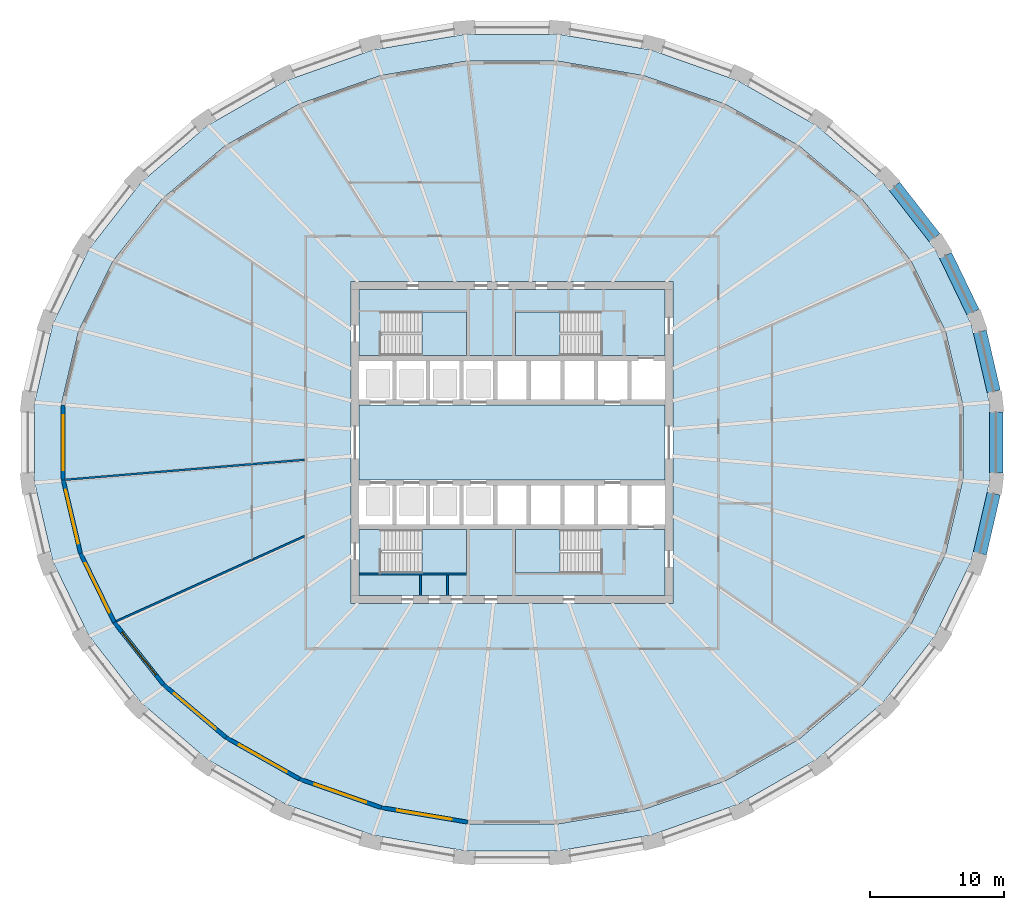
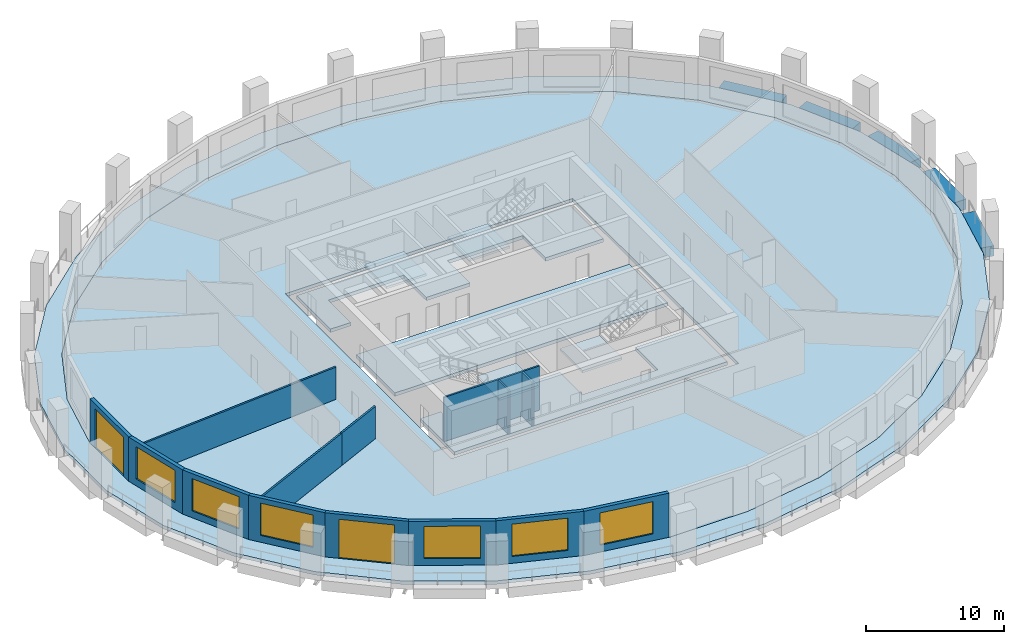
# One storey, part 2 of 10: 14 walls, 9 slabs, 6 windows, 5 beams, 2 doors, 8 openings, 4 elements without a shape of their own.
"""IFC4 building model written with IfcOpenShell, lengths in metres."""

from ifc_helpers import new_model, si_unit, direction, frame, frame_2d, origin, origin_2d, place, context, subcontext, project, spatial, polyline, rectangle, outline, extrude, material, layer, layer_set, material_profile, profile_set, type_object, element, fill, aggregate, save


model = new_model("IFC4")

# Units and contexts
model_context = context("Model", 3, precision=1e-05, world=origin(), true_north=direction((0.0, 1.0)))
body_context = subcontext(model_context, "Body", "Model", "MODEL_VIEW")
ifc_project = project(units=[si_unit("LENGTHUNIT", "METRE"), si_unit("AREAUNIT", "SQUARE_METRE"), si_unit("VOLUMEUNIT", "CUBIC_METRE"), si_unit("PLANEANGLEUNIT", "RADIAN"), si_unit("MASSUNIT", "GRAM", prefix="KILO")], contexts=[model_context])

# Site, building, storey
site_placement = place(None, origin())
site = spatial("IfcSite", under=ifc_project, at=site_placement, CompositionType="ELEMENT")
building_placement = place(site_placement, origin())
building = spatial("IfcBuilding", under=site, at=building_placement, Name="Halqa Exchange Tower", CompositionType="ELEMENT")
storey_placement = place(building_placement, frame((0.0, 0.0, 90.699951171875)))
storey = spatial("IfcBuildingStorey", under=building, at=storey_placement, Name="L20", CompositionType="ELEMENT", Elevation=90.699951171875)

# Beams
ifc_material_1 = material(Name="Concrete C60/75", Category="concrete")
ifc_material_profile = material_profile(ifc_material_1, rectangle(XDim=1.0, YDim=0.89990234375, at=origin_2d()), Name="1000 x 900")
ifc_profile_set = profile_set([ifc_material_profile], Name="Concrete C60/75")
beam_type = type_object("IfcBeamType", Name="RC spandrel beam 1000 x 900 C60/75", PredefinedType="SPANDREL", material=ifc_profile_set)
beam_1_placement = place(storey_placement, frame((35.939208984375, 3.805908203125, -0.449951171875), z_axis=(-0.226091821928, 0.974105994262, 0.0), x_axis=(-0.974105994262, -0.226091821928, 0.0)))
element("IfcBeam", 1, at=beam_1_placement, inside=storey, type_object=beam_type, Name="Spandrel 1", PredefinedType="SPANDREL", context=body_context, shape_type="SweptSolid", body=[
    extrude(rectangle(XDim=1.0, YDim=0.89990234375, at=origin_2d()), origin(), (0.0, 0.0, 1.0), 4.5859375),
])
beam_2_placement = place(storey_placement, frame((34.388671875, 9.7294921875, -0.449951171875), z_axis=(-0.435149722828, 0.900358105824, 0.0), x_axis=(-0.900358105824, -0.435149722828, 0.0)))
element("IfcBeam", 2, at=beam_2_placement, inside=storey, type_object=beam_type, Name="Spandrel 2", PredefinedType="SPANDREL", context=body_context, shape_type="SweptSolid", body=[
    extrude(rectangle(XDim=1.0, YDim=0.89990234375, at=origin_2d()), origin(), (0.0, 0.0, 1.0), 4.70263671875),
])
beam_3_placement = place(storey_placement, frame((31.52783203125, 15.2744140625, -0.449951171875), z_axis=(-0.614817026553, 0.788669781252, 0.0), x_axis=(-0.788669781252, -0.614817026553, 0.0)))
element("IfcBeam", 3, at=beam_3_placement, inside=storey, type_object=beam_type, Name="Spandrel 3", PredefinedType="SPANDREL", context=body_context, shape_type="SweptSolid", body=[
    extrude(rectangle(XDim=1.0, YDim=0.89990234375, at=origin_2d()), origin(), (0.0, 0.0, 1.0), 4.877197265625),
])
beam_4_placement = place(storey_placement, frame((34.90234375, -8.273193359375, -0.449951171875), z_axis=(0.226091821928, 0.974105994262, 0.0), x_axis=(-0.974105994262, 0.226091821928, 0.0)))
element("IfcBeam", 4, at=beam_4_placement, inside=storey, type_object=beam_type, Name="Spandrel 31", PredefinedType="SPANDREL", context=body_context, shape_type="SweptSolid", body=[
    extrude(rectangle(XDim=1.0, YDim=0.89990234375, at=origin_2d()), origin(), (0.0, 0.0, 1.0), 4.5859375),
])
beam_5_placement = place(storey_placement, frame((36.11474609375, -2.271484375, -0.449951171875), z_axis=(0.0, 1.0, 0.0), x_axis=(-1.0, 0.0, 0.0)))
element("IfcBeam", 5, at=beam_5_placement, inside=storey, type_object=beam_type, Name="Spandrel 32", PredefinedType="SPANDREL", context=body_context, shape_type="SweptSolid", body=[
    extrude(rectangle(XDim=1.0, YDim=0.89990234375, at=origin_2d()), origin(), (0.0, 0.0, 1.0), 4.54296875),
])

# Slabs
ifc_layer_1 = layer(ifc_material_1, 0.300048828125)
ifc_layer_set_1 = layer_set([ifc_layer_1], Name="Concrete C60/75")
slab_type_1 = type_object("IfcSlabType", Name="Core floor slab 300", PredefinedType="FLOOR", material=ifc_layer_set_1)
slab_1_placement = place(storey_placement, frame((0.0, 0.0, -0.300048828125)))
element("IfcSlab", 6, at=slab_1_placement, inside=storey, type_object=slab_type_1, Name="Core floor slab", PredefinedType="FLOOR", context=body_context, shape_type="SweptSolid", body=[
    extrude(outline(polyline([(-11.39990234375, 2.800048828125), (11.39990234375, 2.800048828125), (11.39990234375, -2.800048828125), (-11.39990234375, -2.800048828125), (-11.39990234375, 2.800048828125)])), origin(), (0.0, 0.0, 1.0), 0.300048828125),
])
slab_2_placement = place(storey_placement, frame((0.0, 0.0, -0.300048828125)))
element("IfcSlab", 7, at=slab_2_placement, inside=storey, type_object=slab_type_1, Name="Core floor slab", PredefinedType="FLOOR", context=body_context, shape_type="SweptSolid", body=[
    extrude(outline(polyline([(-11.39990234375, 11.39990234375), (11.39990234375, 11.39990234375), (11.39990234375, 6.5), (6.550048828125, 6.5), (6.550048828125, 9.75), (0.25, 9.75), (0.25, 6.5), (-3.39990234375, 6.5), (-3.39990234375, 9.75), (-9.699951171875, 9.75), (-9.699951171875, 6.5), (-11.39990234375, 6.5), (-11.39990234375, 11.39990234375)])), origin(), (0.0, 0.0, 1.0), 0.300048828125),
])
slab_3_placement = place(storey_placement, frame((0.0, 0.0, -0.300048828125)))
element("IfcSlab", 8, at=slab_3_placement, inside=storey, type_object=slab_type_1, Name="Core floor slab", PredefinedType="FLOOR", context=body_context, shape_type="SweptSolid", body=[
    extrude(outline(polyline([(-9.699951171875, -9.75), (-3.39990234375, -9.75), (-3.39990234375, -6.5), (0.25, -6.5), (0.25, -9.75), (6.550048828125, -9.75), (6.550048828125, -6.5), (11.39990234375, -6.5), (11.39990234375, -11.39990234375), (-11.39990234375, -11.39990234375), (-11.39990234375, -6.5), (-9.699951171875, -6.5), (-9.699951171875, -9.75)])), origin(), (0.0, 0.0, 1.0), 0.300048828125),
])
ifc_material_2 = material(Name="Concrete C40/50", Category="concrete")
ifc_layer_2 = layer(ifc_material_2, 0.300048828125)
ifc_layer_set_2 = layer_set([ifc_layer_2], Name="Concrete C40/50")
slab_type_2 = type_object("IfcSlabType", Name="RC floor slab 300", PredefinedType="FLOOR", material=ifc_layer_set_2)
slab_4_placement = place(storey_placement, frame((0.0, 0.0, -0.300048828125)))
element("IfcSlab", 9, at=slab_4_placement, inside=storey, type_object=slab_type_2, Name="Floor slab", PredefinedType="FLOOR", context=body_context, shape_type="SweptSolid", body=[
    extrude(outline(polyline([(33.628173828125, 2.80908203125), (32.331787109375, 8.318115234375), (29.790283203125, 13.50390625), (26.1044921875, 18.16650390625), (21.41748046875, 22.127685546875), (15.9111328125, 25.2373046875), (9.79638671875, 27.378173828125), (3.3076171875, 28.468994140625), (-3.3076171875, 28.468994140625), (-9.79638671875, 27.378173828125), (-15.9111328125, 25.2373046875), (-21.41748046875, 22.127685546875), (-26.1044921875, 18.16650390625), (-29.790283203125, 13.50390625), (-32.331787109375, 8.318115234375), (-33.628173828125, 2.80908203125), (-33.628173828125, -2.80908203125), (-32.331787109375, -8.318115234375), (-29.790283203125, -13.50390625), (-26.1044921875, -18.16650390625), (-21.41748046875, -22.127685546875), (-15.9111328125, -25.2373046875), (-9.79638671875, -27.378173828125), (-3.3076171875, -28.468994140625), (3.3076171875, -28.468994140625), (9.79638671875, -27.378173828125), (15.9111328125, -25.2373046875), (21.41748046875, -22.127685546875), (26.1044921875, -18.16650390625), (29.790283203125, -13.50390625), (32.331787109375, -8.318115234375), (33.628173828125, -2.80908203125), (33.628173828125, 2.80908203125)]), holes=[polyline([(-12.0, -12.0), (12.0, -12.0), (12.0, 12.0), (-12.0, 12.0), (-12.0, -12.0)])]), origin(), (0.0, 0.0, 1.0), 0.300048828125),
])
ifc_layer_3 = layer(ifc_material_2, 0.300048828125)
ifc_layer_set_3 = layer_set([ifc_layer_3], Name="Concrete C40/50")
slab_type_3 = type_object("IfcSlabType", Name="RC loggia slab 300", PredefinedType="FLOOR", material=ifc_layer_set_3)
slab_5_placement = place(storey_placement, frame((0.0, 0.0, -0.300048828125)))
element("IfcSlab", 10, at=slab_5_placement, inside=storey, type_object=slab_type_3, Name="Loggia slab", PredefinedType="FLOOR", context=body_context, shape_type="SweptSolid", body=[
    extrude(outline(polyline([(35.61474609375, 2.99169921875), (35.61474609375, -2.99169921875), (34.25244140625, -8.862060546875), (31.577392578125, -14.3974609375), (27.688720703125, -19.385986328125), (22.732421875, -23.63427734375), (16.897216796875, -26.976318359375), (10.40771484375, -29.2802734375), (3.5146484375, -30.45556640625), (-3.5146484375, -30.45556640625), (-10.40771484375, -29.2802734375), (-16.897216796875, -26.976318359375), (-22.732421875, -23.63427734375), (-27.688720703125, -19.385986328125), (-31.577392578125, -14.3974609375), (-34.25244140625, -8.862060546875), (-35.61474609375, -2.99169921875), (-35.61474609375, 2.99169921875), (-34.25244140625, 8.862060546875), (-31.577392578125, 14.3974609375), (-27.688720703125, 19.385986328125), (-22.732421875, 23.63427734375), (-16.897216796875, 26.976318359375), (-10.40771484375, 29.2802734375), (-3.5146484375, 30.45556640625), (3.5146484375, 30.45556640625), (10.40771484375, 29.2802734375), (16.897216796875, 26.976318359375), (22.732421875, 23.63427734375), (27.688720703125, 19.385986328125), (31.577392578125, 14.3974609375), (34.25244140625, 8.862060546875), (35.61474609375, 2.99169921875)]), holes=[polyline([(33.628173828125, 2.80908203125), (32.331787109375, 8.318115234375), (29.790283203125, 13.50390625), (26.1044921875, 18.16650390625), (21.41748046875, 22.127685546875), (15.9111328125, 25.2373046875), (9.79638671875, 27.378173828125), (3.3076171875, 28.468994140625), (-3.3076171875, 28.468994140625), (-9.79638671875, 27.378173828125), (-15.9111328125, 25.2373046875), (-21.41748046875, 22.127685546875), (-26.1044921875, 18.16650390625), (-29.790283203125, 13.50390625), (-32.331787109375, 8.318115234375), (-33.628173828125, 2.80908203125), (-33.628173828125, -2.80908203125), (-32.331787109375, -8.318115234375), (-29.790283203125, -13.50390625), (-26.1044921875, -18.16650390625), (-21.41748046875, -22.127685546875), (-15.9111328125, -25.2373046875), (-9.79638671875, -27.378173828125), (-3.3076171875, -28.468994140625), (3.3076171875, -28.468994140625), (9.79638671875, -27.378173828125), (15.9111328125, -25.2373046875), (21.41748046875, -22.127685546875), (26.1044921875, -18.16650390625), (29.790283203125, -13.50390625), (32.331787109375, -8.318115234375), (33.628173828125, -2.80908203125), (33.628173828125, 2.80908203125)])]), origin(), (0.0, 0.0, 1.0), 0.300048828125),
])

# Stair, slab
ifc_material_3 = material(Name="Concrete C30/37", Category="concrete")
stair_type = type_object("IfcStairType", Name="Exit stair 1500 wide", PredefinedType="HALF_TURN_STAIR", material=ifc_material_3)
stair_1_placement = place(storey_placement, origin())
stair_1 = element("IfcStair", 11, at=stair_1_placement, inside=storey, type_object=stair_type, Name="Exit stair ST1", PredefinedType="HALF_TURN_STAIR")
ifc_layer_4 = layer(ifc_material_3, 0.199951171875)
ifc_layer_set_4 = layer_set([ifc_layer_4], Name="Concrete C30/37")
slab_type_4 = type_object("IfcSlabType", Name="Stair landing 200 slab", PredefinedType="LANDING", material=ifc_layer_set_4)
slab_6_placement = place(storey_placement, frame((0.0, 0.0, 1.900146484375)))
slab_6 = element("IfcSlab", 12, at=slab_6_placement, type_object=slab_type_4, Name="ST1 landing 1", PredefinedType="LANDING", context=body_context, shape_type="SweptSolid", body=[
    extrude(outline(polyline([(-6.719970703125, 6.5), (-3.39990234375, 6.5), (-3.39990234375, 9.75), (-6.719970703125, 9.75), (-6.719970703125, 6.5)])), origin(), (0.0, 0.0, 1.0), 0.199951171875),
])
aggregate(stair_1, [slab_6])

stair_2_placement = place(storey_placement, origin())
stair_2 = element("IfcStair", 13, at=stair_2_placement, inside=storey, type_object=stair_type, Name="Exit stair ST2", PredefinedType="HALF_TURN_STAIR")
slab_7_placement = place(storey_placement, frame((0.0, 0.0, 1.900146484375)))
slab_7 = element("IfcSlab", 14, at=slab_7_placement, type_object=slab_type_4, Name="ST2 landing 1", PredefinedType="LANDING", context=body_context, shape_type="SweptSolid", body=[
    extrude(outline(polyline([(0.25, 6.5), (3.570068359375, 6.5), (3.570068359375, 9.75), (0.25, 9.75), (0.25, 6.5)])), origin(), (0.0, 0.0, 1.0), 0.199951171875),
])
aggregate(stair_2, [slab_7])

stair_3_placement = place(storey_placement, origin())
stair_3 = element("IfcStair", 15, at=stair_3_placement, inside=storey, type_object=stair_type, Name="Exit stair ST3", PredefinedType="HALF_TURN_STAIR")
slab_8_placement = place(storey_placement, frame((0.0, 0.0, 1.900146484375)))
slab_8 = element("IfcSlab", 16, at=slab_8_placement, type_object=slab_type_4, Name="ST3 landing 1", PredefinedType="LANDING", context=body_context, shape_type="SweptSolid", body=[
    extrude(outline(polyline([(-6.719970703125, -9.75), (-3.39990234375, -9.75), (-3.39990234375, -6.5), (-6.719970703125, -6.5), (-6.719970703125, -9.75)])), origin(), (0.0, 0.0, 1.0), 0.199951171875),
])
aggregate(stair_3, [slab_8])

stair_4_placement = place(storey_placement, origin())
stair_4 = element("IfcStair", 17, at=stair_4_placement, inside=storey, type_object=stair_type, Name="Exit stair ST4", PredefinedType="HALF_TURN_STAIR")
slab_9_placement = place(storey_placement, frame((0.0, 0.0, 1.900146484375)))
slab_9 = element("IfcSlab", 18, at=slab_9_placement, type_object=slab_type_4, Name="ST4 landing 1", PredefinedType="LANDING", context=body_context, shape_type="SweptSolid", body=[
    extrude(outline(polyline([(0.25, -9.75), (3.570068359375, -9.75), (3.570068359375, -6.5), (0.25, -6.5), (0.25, -9.75)])), origin(), (0.0, 0.0, 1.0), 0.199951171875),
])
aggregate(stair_4, [slab_9])

# Walls
ifc_material_4 = material(Name="Fire-rated gypsum board")
ifc_layer_5 = layer(ifc_material_4, 0.14990234375)
ifc_layer_set_5 = layer_set([ifc_layer_5], Name="Fire-rated gypsum board")
wall_type_1 = type_object("IfcWallType", Name="Fire partition EI 60 150", PredefinedType="PARTITIONING", material=ifc_layer_set_5)
wall_1_placement = place(storey_placement, frame((-33.321533203125, -2.774169921875, 0.0), z_axis=(0.0, 0.0, 1.0), x_axis=(0.996543032046, 0.083078187757, 0.0)))
element("IfcWall", 19, at=wall_1_placement, inside=storey, type_object=wall_type_1, Name="L20-PWL-001", PredefinedType="PARTITIONING", context=body_context, shape_type="SweptSolid", body=[
    extrude(outline(polyline([(0.004638671875, -0.074951171875), (1.991455078125, -0.074951171875), (3.978515625, -0.074951171875), (5.965576171875, -0.074951171875), (7.952392578125, -0.074951171875), (9.939453125, -0.074951171875), (11.926513671875, -0.074951171875), (13.913330078125, -0.074951171875), (13.913330078125, -0.074462890625), (13.9189453125, -0.074951171875), (15.91064453125, -0.074951171875), (17.902099609375, -0.074951171875), (17.914306640625, 0.0703125), (17.914306640625, 0.074951171875), (15.97021484375, 0.074951171875), (14.0263671875, 0.074951171875), (14.026123046875, 0.07421875), (14.0166015625, 0.074951171875), (12.2646484375, 0.074951171875), (10.512451171875, 0.074951171875), (8.760498046875, 0.074951171875), (7.00830078125, 0.074951171875), (5.25634765625, 0.074951171875), (3.504150390625, 0.074951171875), (1.752197265625, 0.074951171875), (0.0, 0.074951171875), (0.0, -0.04443359375), (0.004638671875, -0.074951171875)])), origin(), (0.0, 0.0, 1.0), 2.85009765625),
])
wall_2_placement = place(storey_placement, frame((-29.535888671875, -13.34619140625, 0.0), z_axis=(0.0, 0.0, 1.0), x_axis=(0.911414610865, 0.411489255147, 0.0)))
element("IfcWall", 20, at=wall_2_placement, inside=storey, type_object=wall_type_1, Name="L20-PWL-002", PredefinedType="PARTITIONING", context=body_context, shape_type="SweptSolid", body=[
    extrude(outline(polyline([(11.208251953125, -0.074951171875), (11.208251953125, 0.071533203125), (11.1943359375, 0.041015625), (11.175048828125, 0.049560546875), (11.175048828125, 0.049560546875), (11.119140625, 0.074951171875), (9.265869140625, 0.074951171875), (7.41259765625, 0.074951171875), (5.5595703125, 0.074951171875), (3.706298828125, 0.074951171875), (1.853271484375, 0.074951171875), (0.0, 0.074951171875), (0.0, 0.06787109375), (0.001953125, 0.002685546875), (0.021484375, -0.074951171875), (1.885986328125, -0.074951171875), (3.750244140625, -0.074951171875), (5.61474609375, -0.074951171875), (7.479248046875, -0.074951171875), (9.34375, -0.074951171875), (11.208251953125, -0.074951171875)])), origin(), (0.0, 0.0, 1.0), 2.85009765625),
])
wall_3_placement = place(storey_placement, frame((-19.3203125, -8.73388671875, 0.0), z_axis=(0.0, 0.0, 1.0), x_axis=(0.911074570035, 0.412241589162, 0.0)))
element("IfcWall", 21, at=wall_3_placement, inside=storey, type_object=wall_type_1, Name="L20-PWL-004", PredefinedType="PARTITIONING", context=body_context, shape_type="SweptSolid", body=[
    extrude(outline(polyline([(0.0, -0.074951171875), (1.3955078125, -0.074951171875), (2.791259765625, -0.074951171875), (4.186767578125, -0.074951171875), (4.254638671875, 0.074951171875), (2.8369140625, 0.074951171875), (1.419189453125, 0.074951171875), (0.001220703125, 0.074951171875), (0.0, 0.072021484375), (0.0, -0.074951171875)])), origin(), (0.0, 0.0, 1.0), 2.85009765625),
])
ifc_material_5 = material(Name="Gypsum board")
ifc_layer_6 = layer(ifc_material_5, 0.14990234375)
ifc_layer_set_6 = layer_set([ifc_layer_6], Name="Gypsum board")
wall_type_2 = type_object("IfcWallType", Name="Penthouse riser wall 150 gypsum", PredefinedType="PARTITIONING", material=ifc_layer_set_6)
for number, where, z_axis, x_axis, name in (
    (22, (-6.824951171875, -11.39990234375, 0.0), (0.0, 0.0, 1.0), (0.0, 1.0, 0.0), "Partition W6.825 S"),
    (23, (-4.824951171875, -11.39990234375, 0.0), (0.0, 0.0, 1.0), (0.0, 1.0, 0.0), "Partition W4.825 S"),
):
    element("IfcWall", number, at=place(storey_placement, frame(where, z_axis=z_axis, x_axis=x_axis)), inside=storey, type_object=wall_type_2, Name=name, PredefinedType="PARTITIONING", context=body_context, shape_type="SweptSolid", body=[
        extrude(rectangle(XDim=1.5, YDim=0.14990234375, at=frame_2d((0.75, 0.0))), origin(), (0.0, 0.0, 1.0), 3.900146484375),
    ])
ifc_layer_7 = layer(ifc_material_3, 0.14990234375)
ifc_layer_set_7 = layer_set([ifc_layer_7], Name="Concrete C30/37")
wall_type_3 = type_object("IfcWallType", Name="RC stair wall 150 C30/37", PredefinedType="SHEAR", material=ifc_layer_set_7)
wall_4_placement = place(storey_placement, frame((-11.39990234375, -9.824951171875, 0.0), z_axis=(0.0, 0.0, 1.0), x_axis=(1.0, 0.0, 0.0)))
element("IfcWall", 24, at=wall_4_placement, inside=storey, type_object=wall_type_3, Name="Stair ST1 north wall S", PredefinedType="SHEAR", context=body_context, shape_type="SweptSolid", body=[
    extrude(rectangle(XDim=8.0, YDim=0.14990234375, at=frame_2d((4.0, 0.0))), origin(), (0.0, 0.0, 1.0), 3.900146484375),
])

# Wall, opening, door
ifc_material_6 = material(Name="Limestone cladding", Category="masonry")
ifc_layer_8 = layer(ifc_material_6, 0.0400390625)
ifc_material_7 = material(Name="Ventilated cavity")
ifc_layer_9 = layer(ifc_material_7, 0.030029296875, ventilated=True)
ifc_material_8 = material(Name="Mineral wool insulation")
ifc_layer_10 = layer(ifc_material_8, 0.10009765625)
ifc_layer_11 = layer(ifc_material_3, 0.10009765625)
ifc_material_9 = material(Name="Internal plaster")
ifc_layer_12 = layer(ifc_material_9, 0.030029296875)
ifc_layer_set_8 = layer_set([ifc_layer_8, ifc_layer_9, ifc_layer_10, ifc_layer_11, ifc_layer_12], Name="Stone-faced insulated wall 300")
wall_type_4 = type_object("IfcWallType", Name="Stone-faced insulated wall 300", PredefinedType="STANDARD", material=ifc_layer_set_8)
wall_5_placement = place(storey_placement, frame((-33.478271484375, 2.791748046875, 0.0), z_axis=(0.0, 0.0, 1.0), x_axis=(0.0, -1.0, 0.0)))
wall_5 = element("IfcWall", 25, at=wall_5_placement, inside=storey, type_object=wall_type_4, Name="Glass-line wall 16", PredefinedType="STANDARD", context=body_context, shape_type="SweptSolid", body=[
    extrude(outline(polyline([(-0.017333984375, -0.14990234375), (5.600830078125, -0.14990234375), (5.566162109375, 0.14990234375), (0.017333984375, 0.14990234375), (-0.017333984375, -0.14990234375)])), origin(), (0.0, 0.0, 1.0), 3.900146484375),
])
opening_1_placement = place(wall_5_placement, frame((0.74169921875, 0.0, 0.0)))
opening_1 = element("IfcOpeningElement", 26, at=opening_1_placement, cuts=wall_5, Name="Opening LG-F1-04", PredefinedType="OPENING", context=body_context, shape_type="SweptSolid", body=[
    extrude(rectangle(XDim=4.10009765625, YDim=3.449951171875, at=frame_2d((2.050048828125, 1.72509765625))), frame((0.0, 0.162109375, 0.0), z_axis=(0.0, -1.0, 0.0), x_axis=(1.0, 0.0, 0.0)), (0.0, 0.0, 1.0), 0.323974609375),
])
ifc_material_10 = material(Name="Clear low-emissivity glass in aluminium frame", Category="aluminium")
door_type = type_object("IfcDoorType", Name="Glazed sliding loggia door 4100 x 3450", OperationType="DOUBLE_DOOR_SLIDING", PredefinedType="DOOR", material=ifc_material_10)
door_1_placement = place(opening_1_placement, origin())
door_1 = element("IfcDoor", 27, at=door_1_placement, inside=storey, type_object=door_type, Name="Loggia door 4", OperationType="DOUBLE_DOOR_SLIDING", OverallHeight=3.449951171875, OverallWidth=4.10009765625, PredefinedType="DOOR", context=body_context, shape_type="SweptSolid", body=[
    extrude(rectangle(XDim=4.10009765625, YDim=3.449951171875, at=frame_2d((2.050048828125, 1.72509765625))), frame((0.0, 0.02490234375, 0.0), z_axis=(0.0, -1.0, 0.0), x_axis=(1.0, 0.0, 0.0)), (0.0, 0.0, 1.0), 0.050048828125),
])
fill(opening_1, door_1)

# Wall, opening, window
wall_6_placement = place(storey_placement, frame((-33.478271484375, -2.791748046875, 0.0), z_axis=(0.0, 0.0, 1.0), x_axis=(0.229073200999, -0.973409198941, 0.0)))
wall_6 = element("IfcWall", 28, at=wall_6_placement, inside=storey, type_object=wall_type_4, Name="Glass-line wall 17", PredefinedType="STANDARD", context=body_context, shape_type="SweptSolid", body=[
    extrude(outline(polyline([(-0.017333984375, -0.14990234375), (5.64208984375, -0.14990234375), (5.6083984375, 0.14990234375), (0.017333984375, 0.14990234375), (-0.017333984375, -0.14990234375)])), origin(), (0.0, 0.0, 1.0), 3.900146484375),
])
opening_2_placement = place(wall_6_placement, frame((0.7626953125, 0.0, 0.60009765625)))
opening_2 = element("IfcOpeningElement", 29, at=opening_2_placement, cuts=wall_6, Name="Opening W-F1-17", PredefinedType="OPENING", context=body_context, shape_type="SweptSolid", body=[
    extrude(rectangle(XDim=4.10009765625, YDim=2.85009765625, at=frame_2d((2.050048828125, 1.425048828125))), frame((0.0, 0.162109375, 0.0), z_axis=(0.0, -1.0, 0.0), x_axis=(1.0, 0.0, 0.0)), (0.0, 0.0, 1.0), 0.323974609375),
])
window_type = type_object("IfcWindowType", Name="Fixed clear glazed window 4100 x 2850", PartitioningType="TRIPLE_PANEL_VERTICAL", PredefinedType="WINDOW", material=ifc_material_10)
window_1_placement = place(opening_2_placement, origin())
window_1 = element("IfcWindow", 30, at=window_1_placement, inside=storey, type_object=window_type, Name="Window 1", OverallHeight=2.85009765625, OverallWidth=4.10009765625, PartitioningType="TRIPLE_PANEL_VERTICAL", PredefinedType="WINDOW", context=body_context, shape_type="SweptSolid", body=[
    extrude(rectangle(XDim=4.10009765625, YDim=2.85009765625, at=frame_2d((2.050048828125, 1.425048828125))), frame((0.0, 0.030029296875, 0.0), z_axis=(0.0, -1.0, 0.0), x_axis=(1.0, 0.0, 0.0)), (0.0, 0.0, 1.0), 0.06005859375),
])
fill(opening_2, window_1)

wall_7_placement = place(storey_placement, frame((-32.189697265625, -8.267333984375, 0.0), z_axis=(0.0, 0.0, 1.0), x_axis=(0.44010747541, -0.897945104162, 0.0)))
wall_7 = element("IfcWall", 31, at=wall_7_placement, inside=storey, type_object=wall_type_4, Name="Glass-line wall 18", PredefinedType="STANDARD", context=body_context, shape_type="SweptSolid", body=[
    extrude(outline(polyline([(-0.016845703125, -0.14990234375), (5.758056640625, -0.14990234375), (5.725830078125, 0.14990234375), (0.016845703125, 0.14990234375), (-0.016845703125, -0.14990234375)])), origin(), (0.0, 0.0, 1.0), 3.900146484375),
])
opening_3_placement = place(wall_7_placement, frame((0.821044921875, 0.0, 0.60009765625)))
opening_3 = element("IfcOpeningElement", 32, at=opening_3_placement, cuts=wall_7, Name="Opening W-F1-18", PredefinedType="OPENING", context=body_context, shape_type="SweptSolid", body=[
    extrude(rectangle(XDim=4.10009765625, YDim=2.85009765625, at=frame_2d((2.050048828125, 1.425048828125))), frame((0.0, 0.162109375, 0.0), z_axis=(0.0, -1.0, 0.0), x_axis=(1.0, 0.0, 0.0)), (0.0, 0.0, 1.0), 0.323974609375),
])
window_2_placement = place(opening_3_placement, origin())
window_2 = element("IfcWindow", 33, at=window_2_placement, inside=storey, type_object=window_type, Name="Window 1", OverallHeight=2.85009765625, OverallWidth=4.10009765625, PartitioningType="TRIPLE_PANEL_VERTICAL", PredefinedType="WINDOW", context=body_context, shape_type="SweptSolid", body=[
    extrude(rectangle(XDim=4.10009765625, YDim=2.85009765625, at=frame_2d((2.050048828125, 1.425048828125))), frame((0.0, 0.030029296875, 0.0), z_axis=(0.0, -1.0, 0.0), x_axis=(1.0, 0.0, 0.0)), (0.0, 0.0, 1.0), 0.06005859375),
])
fill(opening_3, window_2)

wall_8_placement = place(storey_placement, frame((-29.66259765625, -13.42333984375, 0.0), z_axis=(0.0, 0.0, 1.0), x_axis=(0.620142219764, -0.784489405452, 0.0)))
wall_8 = element("IfcWall", 34, at=wall_8_placement, inside=storey, type_object=wall_type_4, Name="Glass-line wall 19", PredefinedType="STANDARD", context=body_context, shape_type="SweptSolid", body=[
    extrude(outline(polyline([(-0.01611328125, -0.14990234375), (5.927490234375, -0.14990234375), (5.897216796875, 0.14990234375), (0.01611328125, 0.14990234375), (-0.01611328125, -0.14990234375)])), origin(), (0.0, 0.0, 1.0), 3.900146484375),
])
opening_4_placement = place(wall_8_placement, frame((0.90625, 0.0, 0.60009765625)))
opening_4 = element("IfcOpeningElement", 35, at=opening_4_placement, cuts=wall_8, Name="Opening W-F1-19", PredefinedType="OPENING", context=body_context, shape_type="SweptSolid", body=[
    extrude(rectangle(XDim=4.10009765625, YDim=2.85009765625, at=frame_2d((2.050048828125, 1.425048828125))), frame((0.0, 0.162109375, 0.0), z_axis=(0.0, -1.0, 0.0), x_axis=(1.0, 0.0, 0.0)), (0.0, 0.0, 1.0), 0.323974609375),
])
window_3_placement = place(opening_4_placement, origin())
window_3 = element("IfcWindow", 36, at=window_3_placement, inside=storey, type_object=window_type, Name="Window 1", OverallHeight=2.85009765625, OverallWidth=4.10009765625, PartitioningType="TRIPLE_PANEL_VERTICAL", PredefinedType="WINDOW", context=body_context, shape_type="SweptSolid", body=[
    extrude(rectangle(XDim=4.10009765625, YDim=2.85009765625, at=frame_2d((2.050048828125, 1.425048828125))), frame((0.0, 0.030029296875, 0.0), z_axis=(0.0, -1.0, 0.0), x_axis=(1.0, 0.0, 0.0)), (0.0, 0.0, 1.0), 0.06005859375),
])
fill(opening_4, window_3)

# Wall, opening, door
wall_9_placement = place(storey_placement, frame((-25.99609375, -18.0615234375, 0.0), z_axis=(0.0, 0.0, 1.0), x_axis=(0.763753100684, -0.645508482667, 0.0)))
wall_9 = element("IfcWall", 37, at=wall_9_placement, inside=storey, type_object=wall_type_4, Name="Glass-line wall 20", PredefinedType="STANDARD", context=body_context, shape_type="SweptSolid", body=[
    extrude(outline(polyline([(-0.01513671875, -0.14990234375), (6.12158203125, -0.14990234375), (6.09326171875, 0.14990234375), (0.01513671875, 0.14990234375), (-0.01513671875, -0.14990234375)])), origin(), (0.0, 0.0, 1.0), 3.900146484375),
])
opening_5_placement = place(wall_9_placement, frame((1.003662109375, 0.0, 0.0)))
opening_5 = element("IfcOpeningElement", 38, at=opening_5_placement, cuts=wall_9, Name="Opening LG-F1-05", PredefinedType="OPENING", context=body_context, shape_type="SweptSolid", body=[
    extrude(rectangle(XDim=4.10009765625, YDim=3.449951171875, at=frame_2d((2.050048828125, 1.72509765625))), frame((0.0, 0.162109375, 0.0), z_axis=(0.0, -1.0, 0.0), x_axis=(1.0, 0.0, 0.0)), (0.0, 0.0, 1.0), 0.323974609375),
])
door_2_placement = place(opening_5_placement, origin())
door_2 = element("IfcDoor", 39, at=door_2_placement, inside=storey, type_object=door_type, Name="Loggia door 5", OperationType="DOUBLE_DOOR_SLIDING", OverallHeight=3.449951171875, OverallWidth=4.10009765625, PredefinedType="DOOR", context=body_context, shape_type="SweptSolid", body=[
    extrude(rectangle(XDim=4.10009765625, YDim=3.449951171875, at=frame_2d((2.050048828125, 1.72509765625))), frame((0.0, 0.02490234375, 0.0), z_axis=(0.0, -1.0, 0.0), x_axis=(1.0, 0.0, 0.0)), (0.0, 0.0, 1.0), 0.050048828125),
])
fill(opening_5, door_2)

# Wall, opening, window
wall_10_placement = place(storey_placement, frame((-21.33154296875, -22.00390625, 0.0), z_axis=(0.0, 0.0, 1.0), x_axis=(0.870737550302, -0.491748023376, 0.0)))
wall_10 = element("IfcWall", 40, at=wall_10_placement, inside=storey, type_object=wall_type_4, Name="Glass-line wall 21", PredefinedType="STANDARD", context=body_context, shape_type="SweptSolid", body=[
    extrude(outline(polyline([(-0.01416015625, -0.14990234375), (6.309814453125, -0.14990234375), (6.282958984375, 0.14990234375), (0.01416015625, 0.14990234375), (-0.01416015625, -0.14990234375)])), origin(), (0.0, 0.0, 1.0), 3.900146484375),
])
opening_6_placement = place(wall_10_placement, frame((1.09814453125, 0.0, 0.60009765625)))
opening_6 = element("IfcOpeningElement", 41, at=opening_6_placement, cuts=wall_10, Name="Opening W-F1-21", PredefinedType="OPENING", context=body_context, shape_type="SweptSolid", body=[
    extrude(rectangle(XDim=4.10009765625, YDim=2.85009765625, at=frame_2d((2.050048828125, 1.425048828125))), frame((0.0, 0.162109375, 0.0), z_axis=(0.0, -1.0, 0.0), x_axis=(1.0, 0.0, 0.0)), (0.0, 0.0, 1.0), 0.323974609375),
])
window_4_placement = place(opening_6_placement, origin())
window_4 = element("IfcWindow", 42, at=window_4_placement, inside=storey, type_object=window_type, Name="Window 1", OverallHeight=2.85009765625, OverallWidth=4.10009765625, PartitioningType="TRIPLE_PANEL_VERTICAL", PredefinedType="WINDOW", context=body_context, shape_type="SweptSolid", body=[
    extrude(rectangle(XDim=4.10009765625, YDim=2.85009765625, at=frame_2d((2.050048828125, 1.425048828125))), frame((0.0, 0.030029296875, 0.0), z_axis=(0.0, -1.0, 0.0), x_axis=(1.0, 0.0, 0.0)), (0.0, 0.0, 1.0), 0.06005859375),
])
fill(opening_6, window_4)

wall_11_placement = place(storey_placement, frame((-15.84912109375, -25.10009765625, 0.0), z_axis=(0.0, 0.0, 1.0), x_axis=(0.943820008365, -0.330459970057, 0.0)))
wall_11 = element("IfcWall", 43, at=wall_11_placement, inside=storey, type_object=wall_type_4, Name="Glass-line wall 22", PredefinedType="STANDARD", context=body_context, shape_type="SweptSolid", body=[
    extrude(outline(polyline([(-0.013427734375, -0.14990234375), (6.46533203125, -0.14990234375), (6.43994140625, 0.14990234375), (0.013427734375, 0.14990234375), (-0.013427734375, -0.14990234375)])), origin(), (0.0, 0.0, 1.0), 3.900146484375),
])
opening_7_placement = place(wall_11_placement, frame((1.17626953125, 0.0, 0.60009765625)))
opening_7 = element("IfcOpeningElement", 44, at=opening_7_placement, cuts=wall_11, Name="Opening W-F1-22", PredefinedType="OPENING", context=body_context, shape_type="SweptSolid", body=[
    extrude(rectangle(XDim=4.10009765625, YDim=2.85009765625, at=frame_2d((2.050048828125, 1.425048828125))), frame((0.0, 0.162109375, 0.0), z_axis=(0.0, -1.0, 0.0), x_axis=(1.0, 0.0, 0.0)), (0.0, 0.0, 1.0), 0.323974609375),
])
window_5_placement = place(opening_7_placement, origin())
window_5 = element("IfcWindow", 45, at=window_5_placement, inside=storey, type_object=window_type, Name="Window 1", OverallHeight=2.85009765625, OverallWidth=4.10009765625, PartitioningType="TRIPLE_PANEL_VERTICAL", PredefinedType="WINDOW", context=body_context, shape_type="SweptSolid", body=[
    extrude(rectangle(XDim=4.10009765625, YDim=2.85009765625, at=frame_2d((2.050048828125, 1.425048828125))), frame((0.0, 0.030029296875, 0.0), z_axis=(0.0, -1.0, 0.0), x_axis=(1.0, 0.0, 0.0)), (0.0, 0.0, 1.0), 0.06005859375),
])
fill(opening_7, window_5)

wall_12_placement = place(storey_placement, frame((-9.759033203125, -27.232421875, 0.0), z_axis=(0.0, 0.0, 1.0), x_axis=(0.986162431544, -0.165781961053, 0.0)))
wall_12 = element("IfcWall", 46, at=wall_12_placement, inside=storey, type_object=wall_type_4, Name="Glass-line wall 23", PredefinedType="STANDARD", context=body_context, shape_type="SweptSolid", body=[
    extrude(outline(polyline([(-0.0126953125, -0.14990234375), (6.5673828125, -0.14990234375), (6.54248046875, 0.14990234375), (0.0126953125, 0.14990234375), (-0.0126953125, -0.14990234375)])), origin(), (0.0, 0.0, 1.0), 3.900146484375),
])
opening_8_placement = place(wall_12_placement, frame((1.227294921875, 0.0, 0.60009765625)))
opening_8 = element("IfcOpeningElement", 47, at=opening_8_placement, cuts=wall_12, Name="Opening W-F1-23", PredefinedType="OPENING", context=body_context, shape_type="SweptSolid", body=[
    extrude(rectangle(XDim=4.10009765625, YDim=2.85009765625, at=frame_2d((2.050048828125, 1.425048828125))), frame((0.0, 0.162109375, 0.0), z_axis=(0.0, -1.0, 0.0), x_axis=(1.0, 0.0, 0.0)), (0.0, 0.0, 1.0), 0.323974609375),
])
window_6_placement = place(opening_8_placement, origin())
window_6 = element("IfcWindow", 48, at=window_6_placement, inside=storey, type_object=window_type, Name="Window 1", OverallHeight=2.85009765625, OverallWidth=4.10009765625, PartitioningType="TRIPLE_PANEL_VERTICAL", PredefinedType="WINDOW", context=body_context, shape_type="SweptSolid", body=[
    extrude(rectangle(XDim=4.10009765625, YDim=2.85009765625, at=frame_2d((2.050048828125, 1.425048828125))), frame((0.0, 0.030029296875, 0.0), z_axis=(0.0, -1.0, 0.0), x_axis=(1.0, 0.0, 0.0)), (0.0, 0.0, 1.0), 0.06005859375),
])
fill(opening_8, window_6)

save(model, "model.ifc")
